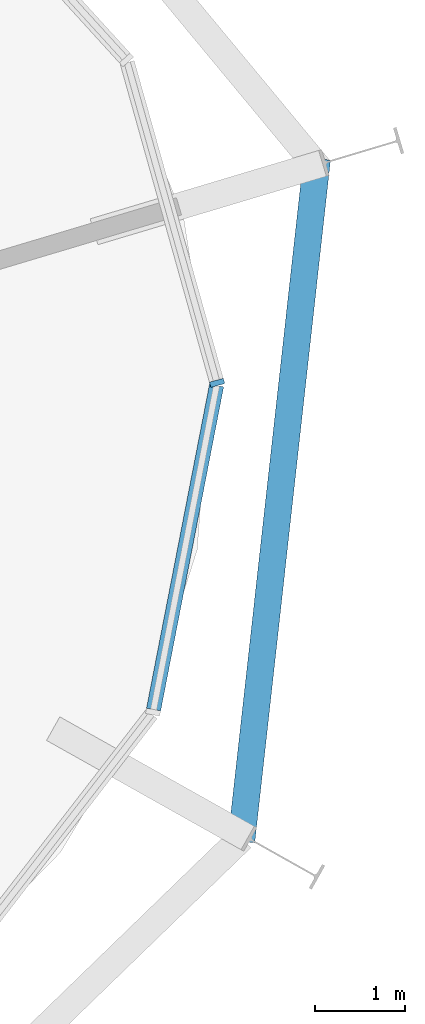
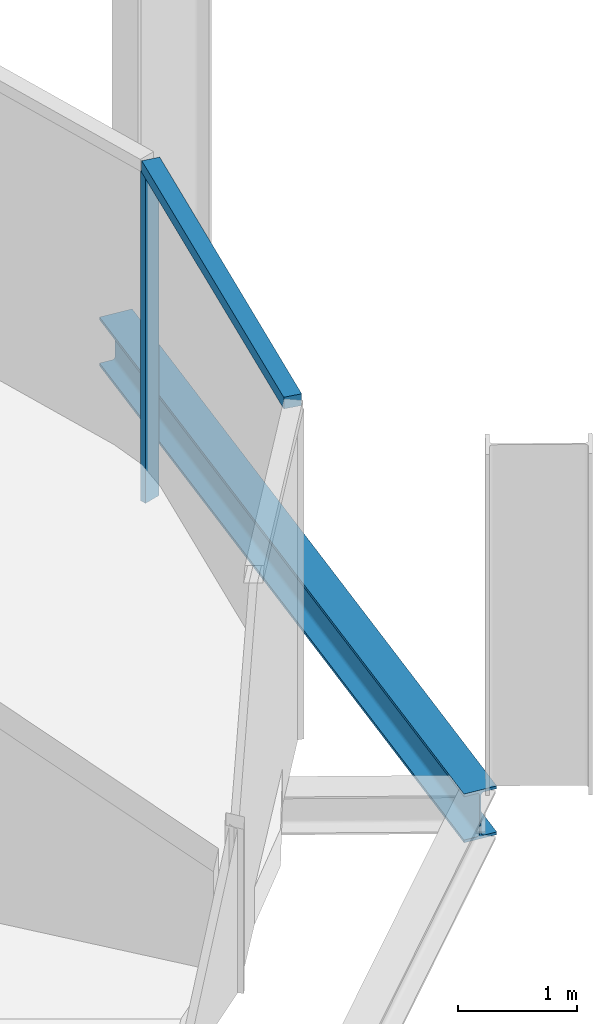
# One storey, part 5 of 17: 2 members, 1 beam, 1 element without a shape of its own.
"""IFC4 building model written with IfcOpenShell, lengths in metres."""

from ifc_helpers import new_model, si_unit, direction, frame, origin, origin_2d, place, context, subcontext, project, spatial, rectangle, i_section, extrude, material, layer, layer_set, material_profile, profile_set, type_object, element, aggregate, save


model = new_model("IFC4")

# Units and contexts
model_context = context("Model", 3, precision=1e-05, world=origin(), true_north=direction((0.0, 1.0)))
body_context = subcontext(model_context, "Body", "Model", "MODEL_VIEW")
ifc_project = project(units=[si_unit("LENGTHUNIT", "METRE"), si_unit("AREAUNIT", "SQUARE_METRE"), si_unit("VOLUMEUNIT", "CUBIC_METRE"), si_unit("PLANEANGLEUNIT", "RADIAN"), si_unit("MASSUNIT", "GRAM", prefix="KILO")], contexts=[model_context])

# Site, building, storey
site_placement = place(None, origin())
site = spatial("IfcSite", under=ifc_project, at=site_placement, CompositionType="ELEMENT")
building_placement = place(site_placement, origin())
building = spatial("IfcBuilding", under=site, at=building_placement, Name="Spindle Arch Residences", CompositionType="ELEMENT")
storey_placement = place(building_placement, frame((0.0, 0.0, 284.39990234375)))
storey = spatial("IfcBuildingStorey", under=building, at=storey_placement, Name="L73", CompositionType="ELEMENT", Elevation=284.39990234375)

# Curtain wall, members
ifc_material_1 = material(Name="Aluminium bronze unitised frame with tinted glass", Category="aluminium")
ifc_layer = layer(ifc_material_1, 0.159912109375)
ifc_layer_set = layer_set([ifc_layer], Name="CW-D corner wall on the fillet arcs")
curtain_wall_type = type_object("IfcCurtainWallType", Name="CW-D corner wall on the fillet arcs", PredefinedType="NOTDEFINED", material=ifc_layer_set)
curtain_wall_placement = place(storey_placement, origin())
curtain_wall = element("IfcCurtainWall", 1, at=curtain_wall_placement, inside=storey, type_object=curtain_wall_type, Name="CW-D L73 run 1", PredefinedType="NOTDEFINED")
ifc_material_2 = material(Name="Aluminium bronze anodised mullion", Category="aluminium")
ifc_material_profile_1 = material_profile(ifc_material_2, rectangle(XDim=0.159912109375, YDim=0.06005859375, at=origin_2d()), Name="MU 60x160")
ifc_profile_set_1 = profile_set([ifc_material_profile_1], Name="Aluminium bronze anodised mullion")
member_type_1 = type_object("IfcMemberType", Name="Bronze mullion 60x160", PredefinedType="MULLION", material=ifc_profile_set_1)
member_1_placement = place(storey_placement, frame((26.832763671875, 3.300048828125, -0.3798828125), z_axis=(0.0, 0.0, 1.0), x_axis=(-0.962849012696, -0.270040328007, 0.0)))
member_1 = element("IfcMember", 2, at=member_1_placement, type_object=member_type_1, Name="CW-D mullion 03", PredefinedType="MULLION", context=body_context, shape_type="SweptSolid", body=[
    extrude(rectangle(XDim=0.159912109375, YDim=0.06005859375, at=origin_2d()), origin(), (0.0, 0.0, 1.0), 3.3798828125),
])
ifc_material_3 = material(Name="Aluminium bronze anodised transom", Category="aluminium")
ifc_material_profile_2 = material_profile(ifc_material_3, rectangle(XDim=0.159912109375, YDim=0.1201171875, at=origin_2d()), Name="TR 120x160")
ifc_profile_set_2 = profile_set([ifc_material_profile_2], Name="Aluminium bronze anodised transom")
member_type_2 = type_object("IfcMemberType", Name="Bronze transom 120x160", PredefinedType="USERDEFINED", material=ifc_profile_set_2)
member_2_placement = place(storey_placement, frame((26.127197265625, -0.32861328125, 3.06005859375), z_axis=(0.190825105639, 0.981624051793, 0.0), x_axis=(-0.981624051793, 0.190825105639, 0.0)))
member_2 = element("IfcMember", 3, at=member_2_placement, type_object=member_type_2, Name="CW-D transom 02", ObjectType="TRANSOM", PredefinedType="USERDEFINED", context=body_context, shape_type="SweptSolid", body=[
    extrude(rectangle(XDim=0.159912109375, YDim=0.1201171875, at=origin_2d()), origin(), (0.0, 0.0, 1.0), 3.666748046875),
])
aggregate(curtain_wall, [member_2, member_1])

# Beam
ifc_material_4 = material(Name="Steel S460ML, intumescent coating R 120", Category="steel")
ifc_material_profile_3 = material_profile(ifc_material_4, i_section(OverallWidth=0.300048828125, OverallDepth=0.5, WebThickness=0.014404296875, FlangeThickness=0.028076171875, FilletRadius=0.027099609375, at=origin_2d()), Name="HEB 500")
ifc_profile_set_3 = profile_set([ifc_material_profile_3], Name="Steel S460ML, intumescent coating R 120")
beam_type = type_object("IfcBeamType", Name="Exoskeleton edge beam HEB 500", PredefinedType="BEAM", material=ifc_profile_set_3)
beam_placement = place(storey_placement, frame((27.102294921875, -1.793701171875, -0.6298828125), z_axis=(0.110238412097, 0.99390517279, 0.0), x_axis=(-0.99390517279, 0.110238412097, 0.0)))
element("IfcBeam", 4, at=beam_placement, inside=storey, type_object=beam_type, Name="Exoskeleton edge beam 3", PredefinedType="BEAM", context=body_context, shape_type="SweptSolid", body=[
    extrude(i_section(OverallWidth=0.300048828125, OverallDepth=0.5, WebThickness=0.014404296875, FlangeThickness=0.028076171875, FilletRadius=0.027099609375, at=origin_2d()), origin(), (0.0, 0.0, 1.0), 7.6318359375),
])

save(model, "model.ifc")
